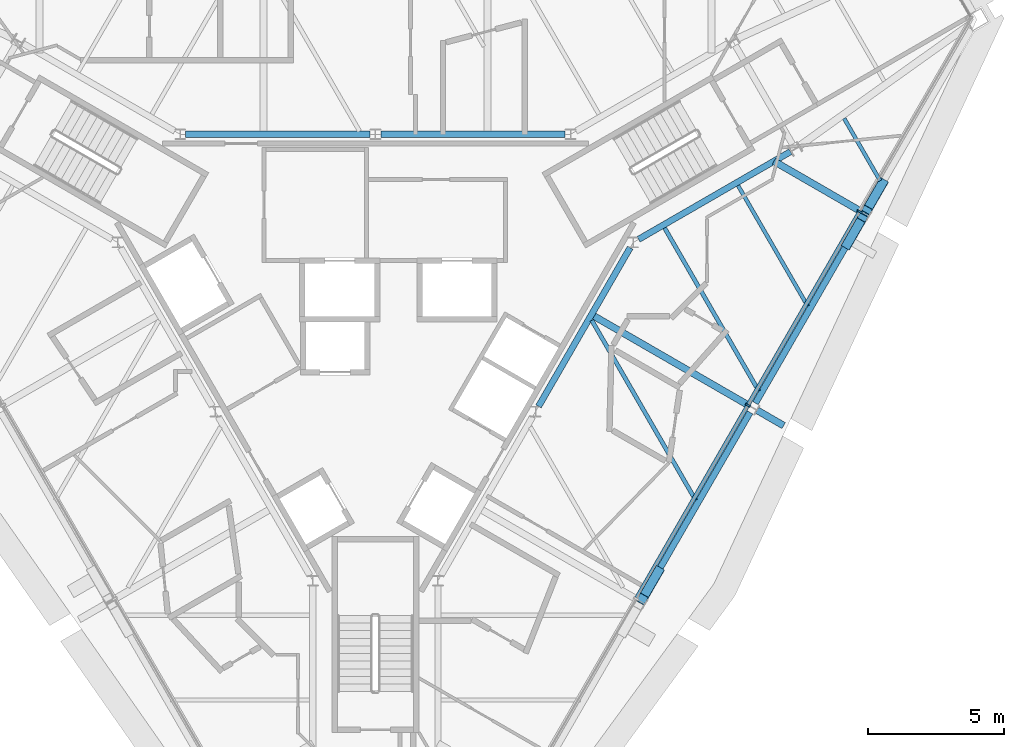
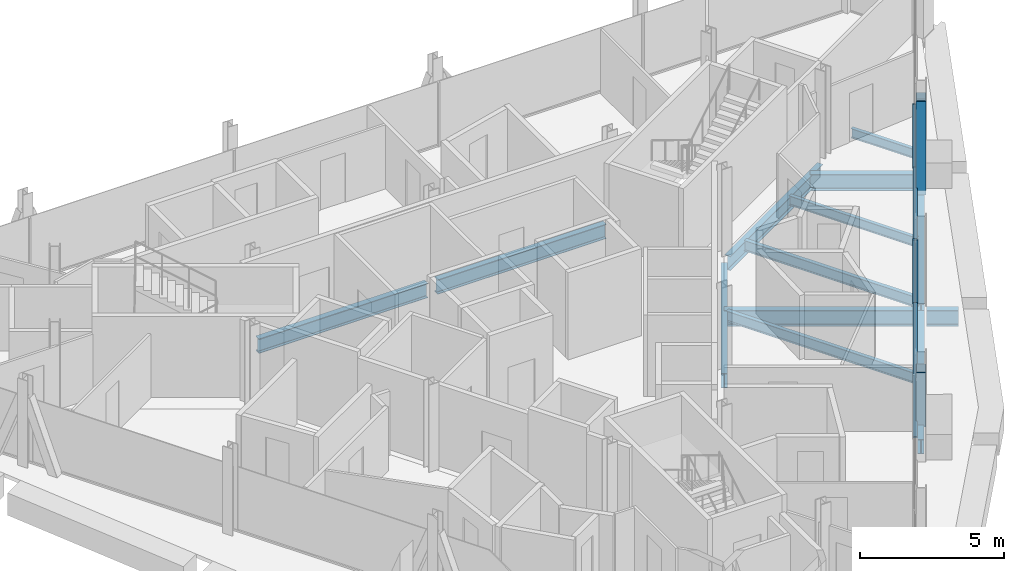
# One storey, part 4 of 13: 13 beams, 7 members, 1 element without a shape of its own.
"""IFC4 building model written with IfcOpenShell, lengths in metres."""

from ifc_helpers import new_model, si_unit, direction, frame, origin, origin_2d, place, context, subcontext, project, spatial, rectangle, hollow_rectangle, i_section, extrude, material, material_profile, profile_set, type_object, element, aggregate, save


model = new_model("IFC4")

# Units and contexts
model_context = context("Model", 3, precision=1e-05, world=origin(), true_north=direction((0.0, 1.0)))
body_context = subcontext(model_context, "Body", "Model", "MODEL_VIEW")
ifc_project = project(units=[si_unit("LENGTHUNIT", "METRE"), si_unit("AREAUNIT", "SQUARE_METRE"), si_unit("VOLUMEUNIT", "CUBIC_METRE"), si_unit("PLANEANGLEUNIT", "RADIAN"), si_unit("MASSUNIT", "GRAM", prefix="KILO")], contexts=[model_context])

# Site, building, storey
site_placement = place(None, origin())
site = spatial("IfcSite", under=ifc_project, at=site_placement, CompositionType="ELEMENT")
building_placement = place(site_placement, origin())
building = spatial("IfcBuilding", under=site, at=building_placement, Name="Verrane Prism Tower", CompositionType="ELEMENT")
storey_placement = place(building_placement, frame((0.0, 0.0, 282.5)))
storey = spatial("IfcBuildingStorey", under=building, at=storey_placement, Name="L71", CompositionType="ELEMENT", Elevation=282.5)

# Beams
ifc_material_1 = material(Name="Steel A992", Category="steel")
ifc_material_profile_1 = material_profile(ifc_material_1, i_section(OverallWidth=0.23046875, OverallDepth=0.6171875, WebThickness=0.01318359375, FlangeThickness=0.022216796875, FilletRadius=0.012939453125, at=origin_2d()), Name="W24x94")
ifc_profile_set_1 = profile_set([ifc_material_profile_1], Name="Steel A992")
beam_type_1 = type_object("IfcBeamType", Name="Core ring girder W24x94", PredefinedType="BEAM", material=ifc_profile_set_1)
beam_1_placement = place(storey_placement, frame((9.679443359375, 2.93505859375, -0.55859375), z_axis=(0.866080992722, 0.499903704773, 0.0), x_axis=(-0.499903704773, 0.866080992722, 0.0)))
element("IfcBeam", 1, at=beam_1_placement, inside=storey, type_object=beam_type_1, Name="Core ring girder L71", PredefinedType="BEAM", context=body_context, shape_type="SweptSolid", body=[
    extrude(i_section(OverallWidth=0.23046875, OverallDepth=0.6171875, WebThickness=0.01318359375, FlangeThickness=0.022216796875, FilletRadius=0.012939453125, at=origin_2d()), origin(), (0.0, 0.0, 1.0), 6.451904296875),
])
for number, where, z_axis, x_axis, name in (
    (2, (6.980712890625, 6.800048828125, -0.55859375), (-1.0, 0.0, 0.0), (0.0, -1.0, 0.0), "Core ring girder L71"),
    (3, (-0.199462890625, 6.800048828125, -0.55859375), (-1.0, 0.0, 0.0), (0.0, -1.0, 0.0), "Core ring girder L71"),
):
    element("IfcBeam", number, at=place(storey_placement, frame(where, z_axis=z_axis, x_axis=x_axis)), inside=storey, type_object=beam_type_1, Name=name, PredefinedType="BEAM", context=body_context, shape_type="SweptSolid", body=[
        extrude(i_section(OverallWidth=0.23046875, OverallDepth=0.6171875, WebThickness=0.01318359375, FlangeThickness=0.022216796875, FilletRadius=0.012939453125, at=origin_2d()), origin(), (0.0, 0.0, 1.0), 6.78125),
    ])
beam_2_placement = place(storey_placement, frame((6.00146484375, -3.20703125, -0.55859375), z_axis=(0.499881421193, 0.866093854468, 0.0), x_axis=(-0.866093854468, 0.499881421193, 0.0)))
element("IfcBeam", 4, at=beam_2_placement, inside=storey, type_object=beam_type_1, Name="Core ring girder L71", PredefinedType="BEAM", context=body_context, shape_type="SweptSolid", body=[
    extrude(i_section(OverallWidth=0.23046875, OverallDepth=0.6171875, WebThickness=0.01318359375, FlangeThickness=0.022216796875, FilletRadius=0.012939453125, at=origin_2d()), origin(), (0.0, 0.0, 1.0), 6.736083984375),
])

# Members
ifc_material_2 = material(Name="Steel A500 Grade C", Category="steel")
ifc_material_profile_2 = material_profile(ifc_material_2, hollow_rectangle(XDim=0.355712890625, YDim=0.355712890625, WallThickness=0.0126953125, InnerFilletRadius=0.00634765625, OuterFilletRadius=0.01904296875, at=origin_2d()), Name="HSS14x14x1/2")
ifc_profile_set_2 = profile_set([ifc_material_profile_2], Name="Steel A500 Grade C")
member_type_1 = type_object("IfcMemberType", Name="Facade brace HSS14x14x1/2", PredefinedType="BRACE", material=ifc_profile_set_2)
member_1_placement = place(storey_placement, frame((10.39990234375, -9.28271484375, -0.216796875), z_axis=(-0.173965251972, -0.301079736712, 0.937596439439), x_axis=(0.865855019057, -0.500294998949, 0.0)))
element("IfcMember", 5, at=member_1_placement, inside=storey, type_object=member_type_1, Name="Facade brace SE2 L71", PredefinedType="BRACE", context=body_context, shape_type="SweptSolid", body=[
    extrude(hollow_rectangle(XDim=0.355712890625, YDim=0.355712890625, WallThickness=0.0126953125, InnerFilletRadius=0.00634765625, OuterFilletRadius=0.01904296875, at=origin_2d()), origin(), (0.0, 0.0, 1.0), 3.361083984375),
])
for number, where, z_axis, x_axis, name in (
    (6, (17.360107421875, 2.77099609375, -0.216796875), (0.173942412768, 0.301475973027, 0.937473346142), (-0.866168216079, 0.499752560229, 0.0), "Facade brace SE3 L71"),
    (7, (18.639892578125, 4.989013671875, -0.216796875), (-0.173942412768, -0.301475973027, 0.937473346142), (0.866168216079, -0.499752560229, 0.0), "Facade brace SE4 L71"),
):
    element("IfcMember", number, at=place(storey_placement, frame(where, z_axis=z_axis, x_axis=x_axis)), inside=storey, type_object=member_type_1, Name=name, PredefinedType="BRACE", context=body_context, shape_type="SweptSolid", body=[
        extrude(hollow_rectangle(XDim=0.355712890625, YDim=0.355712890625, WallThickness=0.0126953125, InnerFilletRadius=0.00634765625, OuterFilletRadius=0.01904296875, at=origin_2d()), origin(), (0.0, 0.0, 1.0), 3.361572265625),
    ])

# Beams
ifc_material_3 = material(Name="Steel A992", Category="steel")
ifc_material_profile_3 = material_profile(ifc_material_3, i_section(OverallWidth=0.140380859375, OverallDepth=0.40380859375, WebThickness=0.007080078125, FlangeThickness=0.01123046875, FilletRadius=0.01025390625, at=origin_2d()), Name="W16x31")
ifc_profile_set_3 = profile_set([ifc_material_profile_3], Name="Steel A992")
beam_type_2 = type_object("IfcBeamType", Name="Floor beam W16x31", PredefinedType="BEAM", material=ifc_profile_set_3)
beam_3_placement = place(storey_placement, frame((15.902099609375, 0.474609375, -0.36181640625), z_axis=(-0.500011000363, 0.866019052629, 0.0), x_axis=(-0.866019052629, -0.500011000363, 0.0)))
element("IfcBeam", 8, at=beam_3_placement, inside=storey, type_object=beam_type_2, Name="Floor beam L71", PredefinedType="BEAM", context=body_context, shape_type="SweptSolid", body=[
    extrude(i_section(OverallWidth=0.140380859375, OverallDepth=0.40380859375, WebThickness=0.007080078125, FlangeThickness=0.01123046875, FilletRadius=0.01025390625, at=origin_2d()), origin(), (0.0, 0.0, 1.0), 5.126953125),
])
beam_4_placement = place(storey_placement, frame((18.565185546875, 5.089599609375, -0.36181640625), z_axis=(-0.49994082229, 0.866059567356, 0.0), x_axis=(-0.866059567356, -0.49994082229, 0.0)))
element("IfcBeam", 9, at=beam_4_placement, inside=storey, type_object=beam_type_2, Name="Floor beam L71", PredefinedType="BEAM", context=body_context, shape_type="SweptSolid", body=[
    extrude(i_section(OverallWidth=0.140380859375, OverallDepth=0.40380859375, WebThickness=0.007080078125, FlangeThickness=0.01123046875, FilletRadius=0.01025390625, at=origin_2d()), origin(), (0.0, 0.0, 1.0), 2.645263671875),
])
ifc_material_4 = material(Name="Steel A992", Category="steel")
ifc_material_profile_4 = material_profile(ifc_material_4, i_section(OverallWidth=0.15234375, OverallDepth=0.449462890625, WebThickness=0.007568359375, FlangeThickness=0.0107421875, FilletRadius=0.01025390625, at=origin_2d()), Name="W18x35")
ifc_profile_set_4 = profile_set([ifc_material_profile_4], Name="Steel A992")
beam_type_3 = type_object("IfcBeamType", Name="Floor beam W18x35", PredefinedType="BEAM", material=ifc_profile_set_4)
beam_5_placement = place(storey_placement, frame((11.78076171875, -6.6630859375, -0.384765625), z_axis=(-0.499997113229, 0.866027070456, 0.0), x_axis=(-0.866027070456, -0.499997113229, 0.0)))
element("IfcBeam", 10, at=beam_5_placement, inside=storey, type_object=beam_type_3, Name="Floor beam L71", PredefinedType="BEAM", context=body_context, shape_type="SweptSolid", body=[
    extrude(i_section(OverallWidth=0.15234375, OverallDepth=0.449462890625, WebThickness=0.007568359375, FlangeThickness=0.0107421875, FilletRadius=0.01025390625, at=origin_2d()), origin(), (0.0, 0.0, 1.0), 7.64306640625),
])
beam_6_placement = place(storey_placement, frame((14.1015625, -2.64599609375, -0.384765625), z_axis=(-0.49999287541, 0.866029517129, 0.0), x_axis=(-0.866029517129, -0.49999287541, 0.0)))
element("IfcBeam", 11, at=beam_6_placement, inside=storey, type_object=beam_type_3, Name="Floor beam L71", PredefinedType="BEAM", context=body_context, shape_type="SweptSolid", body=[
    extrude(i_section(OverallWidth=0.15234375, OverallDepth=0.449462890625, WebThickness=0.007568359375, FlangeThickness=0.0107421875, FilletRadius=0.01025390625, at=origin_2d()), origin(), (0.0, 0.0, 1.0), 6.92919921875),
])

# Curtain wall, members
ifc_material_5 = material(Name="Aluminium framed insulated glazing", Category="aluminium")
curtain_wall_type = type_object("IfcCurtainWallType", Name="Curtain wall CW-A 8400 module", PredefinedType="NOTDEFINED", material=ifc_material_5)
curtain_wall_placement = place(storey_placement, origin())
curtain_wall = element("IfcCurtainWall", 12, at=curtain_wall_placement, inside=storey, type_object=curtain_wall_type, Name="Glazed curtain wall south-east face L71", PredefinedType="NOTDEFINED")
ifc_material_6 = material(Name="Aluminium alloy 6063-T6", Category="aluminium")
ifc_material_profile_5 = material_profile(ifc_material_6, rectangle(XDim=0.199951171875, YDim=0.070068359375, at=origin_2d()), Name="Mullion 70x200 aluminium")
ifc_profile_set_5 = profile_set([ifc_material_profile_5], Name="Aluminium alloy 6063-T6")
member_type_2 = type_object("IfcMemberType", Name="Mullion 70x200 aluminium", PredefinedType="MULLION", material=ifc_profile_set_5)
member_2_placement = place(storey_placement, frame((13.7001953125, -3.1650390625, 0.0), z_axis=(0.0, 0.0, 1.0), x_axis=(-0.866024861728, 0.500000938868, 0.0)))
member_2 = element("IfcMember", 13, at=member_2_placement, type_object=member_type_2, Name="CW69.6 mullion 4", PredefinedType="MULLION", context=body_context, shape_type="SweptSolid", body=[
    extrude(rectangle(XDim=0.199951171875, YDim=0.070068359375, at=origin_2d()), origin(), (0.0, 0.0, 1.0), 2.72314453125),
])
member_3_placement = place(storey_placement, frame((17.8095703125, 3.952392578125, 0.0), z_axis=(0.0, 0.0, 1.0), x_axis=(-0.866024861728, 0.500000938868, 0.0)))
member_3 = element("IfcMember", 14, at=member_3_placement, type_object=member_type_2, Name="CW69.6 mullion 5", PredefinedType="MULLION", context=body_context, shape_type="SweptSolid", body=[
    extrude(rectangle(XDim=0.199951171875, YDim=0.070068359375, at=origin_2d()), origin(), (0.0, 0.0, 1.0), 2.72314453125),
])

# Beams
ifc_material_7 = material(Name="Steel A992", Category="steel")
ifc_material_profile_6 = material_profile(ifc_material_7, i_section(OverallWidth=0.25390625, OverallDepth=0.683349609375, WebThickness=0.012451171875, FlangeThickness=0.01904296875, FilletRadius=0.01513671875, at=origin_2d()), Name="W27x94")
ifc_profile_set_6 = profile_set([ifc_material_profile_6], Name="Steel A992")
beam_type_4 = type_object("IfcBeamType", Name="Radial girder W27x94", PredefinedType="BEAM", material=ifc_profile_set_6)
beam_7_placement = place(storey_placement, frame((13.71728515625, -3.166015625, -0.5615234375), z_axis=(-0.866033637652, 0.499985738252, 0.0), x_axis=(-0.499985738252, -0.866033637652, 0.0)))
element("IfcBeam", 15, at=beam_7_placement, inside=storey, type_object=beam_type_4, Name="Radial girder L71", PredefinedType="BEAM", context=body_context, shape_type="SweptSolid", body=[
    extrude(i_section(OverallWidth=0.25390625, OverallDepth=0.683349609375, WebThickness=0.012451171875, FlangeThickness=0.01904296875, FilletRadius=0.01513671875, at=origin_2d()), origin(), (0.0, 0.0, 1.0), 6.662353515625),
])
beam_8_placement = place(storey_placement, frame((17.837158203125, 3.97412109375, -0.5615234375), z_axis=(-0.866040472627, 0.499973899091, 0.0), x_axis=(-0.499973899091, -0.866040472627, 0.0)))
element("IfcBeam", 16, at=beam_8_placement, inside=storey, type_object=beam_type_4, Name="Radial girder L71", PredefinedType="BEAM", context=body_context, shape_type="SweptSolid", body=[
    extrude(i_section(OverallWidth=0.25390625, OverallDepth=0.683349609375, WebThickness=0.012451171875, FlangeThickness=0.01904296875, FilletRadius=0.01513671875, at=origin_2d()), origin(), (0.0, 0.0, 1.0), 3.670166015625),
])
beam_9_placement = place(storey_placement, frame((14.039306640625, -3.35205078125, -0.5615234375), z_axis=(0.86603400694, -0.499985098601, 0.0), x_axis=(0.499985098601, 0.86603400694, 0.0)))
element("IfcBeam", 17, at=beam_9_placement, inside=storey, type_object=beam_type_4, Name="Cantilever girder L71", PredefinedType="BEAM", context=body_context, shape_type="SweptSolid", body=[
    extrude(i_section(OverallWidth=0.25390625, OverallDepth=0.683349609375, WebThickness=0.012451171875, FlangeThickness=0.01904296875, FilletRadius=0.01513671875, at=origin_2d()), origin(), (0.0, 0.0, 1.0), 1.12646484375),
])
ifc_material_8 = material(Name="Steel A992", Category="steel")
ifc_material_profile_7 = material_profile(ifc_material_8, i_section(OverallWidth=0.23046875, OverallDepth=0.6171875, WebThickness=0.01318359375, FlangeThickness=0.022216796875, FilletRadius=0.012939453125, at=origin_2d()), Name="W24x94")
ifc_profile_set_7 = profile_set([ifc_material_profile_7], Name="Steel A992")
beam_type_5 = type_object("IfcBeamType", Name="Spandrel beam W24x94", PredefinedType="SPANDREL", material=ifc_profile_set_7)
beam_10_placement = place(storey_placement, frame((9.8583984375, -10.219482421875, -0.468505859375), z_axis=(0.500327915282, 0.865835999015, 0.0), x_axis=(-0.865835999015, 0.500327915282, 0.0)))
element("IfcBeam", 18, at=beam_10_placement, inside=storey, type_object=beam_type_5, Name="Spandrel beam L71", PredefinedType="SPANDREL", context=body_context, shape_type="SweptSolid", body=[
    extrude(i_section(OverallWidth=0.23046875, OverallDepth=0.6171875, WebThickness=0.01318359375, FlangeThickness=0.022216796875, FilletRadius=0.012939453125, at=origin_2d()), origin(), (0.0, 0.0, 1.0), 7.841064453125),
])
beam_11_placement = place(storey_placement, frame((13.978515625, -3.089599609375, -0.468505859375), z_axis=(0.499775405071, 0.866155034902, 0.0), x_axis=(-0.866155034902, 0.499775405071, 0.0)))
element("IfcBeam", 19, at=beam_11_placement, inside=storey, type_object=beam_type_5, Name="Spandrel beam L71", PredefinedType="SPANDREL", context=body_context, shape_type="SweptSolid", body=[
    extrude(i_section(OverallWidth=0.23046875, OverallDepth=0.6171875, WebThickness=0.01318359375, FlangeThickness=0.022216796875, FilletRadius=0.012939453125, at=origin_2d()), origin(), (0.0, 0.0, 1.0), 7.849609375),
])

# Member
ifc_material_9 = material(Name="Aluminium alloy 6063-T6", Category="aluminium")
ifc_material_profile_8 = material_profile(ifc_material_9, rectangle(XDim=0.14990234375, YDim=0.070068359375, at=origin_2d()), Name="Transom 70x150 aluminium")
ifc_profile_set_8 = profile_set([ifc_material_profile_8], Name="Aluminium alloy 6063-T6")
member_type_3 = type_object("IfcMemberType", Name="Transom 70x150 aluminium", PredefinedType="USERDEFINED", material=ifc_profile_set_8)
member_4_placement = place(storey_placement, frame((9.608642578125, -10.251953125, 0.034912109375), z_axis=(0.500006018292, 0.866021929094, 0.0), x_axis=(-0.866021929094, 0.500006018292, 0.0)))
member_4 = element("IfcMember", 20, at=member_4_placement, type_object=member_type_3, Name="CW69.6 transom 3", ObjectType="TRANSOM", PredefinedType="USERDEFINED", context=body_context, shape_type="SweptSolid", body=[
    extrude(rectangle(XDim=0.14990234375, YDim=0.070068359375, at=origin_2d()), origin(), (0.0, 0.0, 1.0), 8.1484375),
])

member_5_placement = place(storey_placement, frame((13.7177734375, -3.134521484375, 0.034912109375), z_axis=(0.500006018292, 0.866021929094, 0.0), x_axis=(-0.866021929094, 0.500006018292, 0.0)))
member_5 = element("IfcMember", 21, at=member_5_placement, type_object=member_type_3, Name="CW69.6 transom 4", ObjectType="TRANSOM", PredefinedType="USERDEFINED", context=body_context, shape_type="SweptSolid", body=[
    extrude(rectangle(XDim=0.14990234375, YDim=0.070068359375, at=origin_2d()), origin(), (0.0, 0.0, 1.0), 8.1484375),
])

aggregate(curtain_wall, [member_2, member_3, member_4, member_5])

save(model, "model.ifc")
